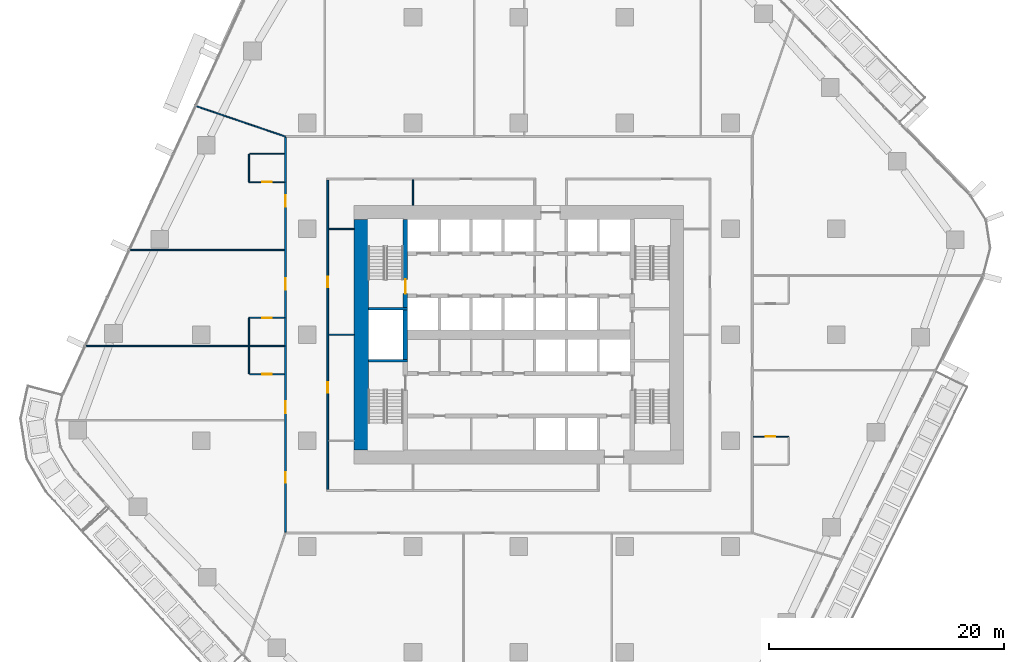
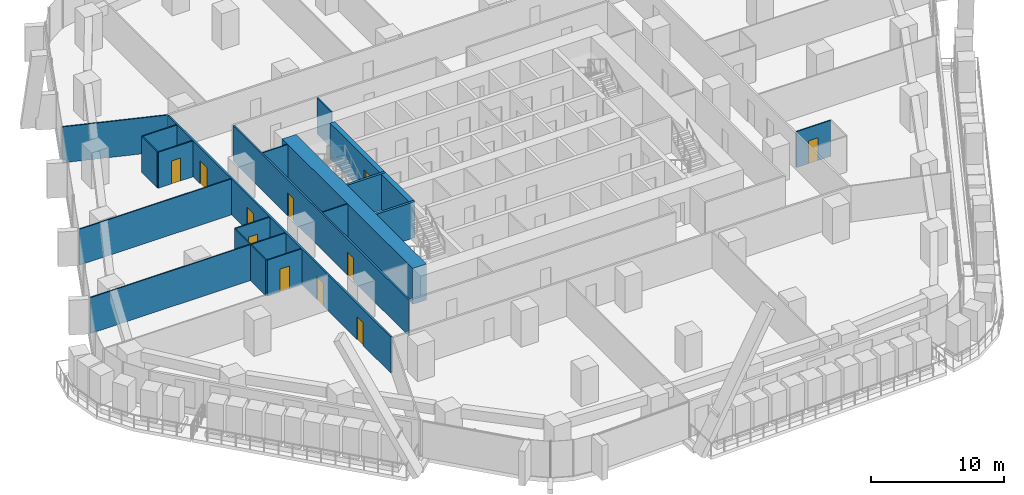
# One storey, part 14 of 26: 21 walls, 11 doors, 11 openings.
"""IFC4 building model written with IfcOpenShell, lengths in metres."""

from ifc_helpers import new_model, si_unit, direction, frame, frame_2d, origin, place, context, subcontext, project, spatial, rectangle, extrude, material, layer, layer_set, type_object, element, fill, save


model = new_model("IFC4")

# Units and contexts
model_context = context("Model", 3, precision=1e-05, world=origin(), true_north=direction((0.0, 1.0)))
body_context = subcontext(model_context, "Body", "Model", "MODEL_VIEW")
ifc_project = project(units=[si_unit("LENGTHUNIT", "METRE"), si_unit("AREAUNIT", "SQUARE_METRE"), si_unit("VOLUMEUNIT", "CUBIC_METRE"), si_unit("PLANEANGLEUNIT", "RADIAN"), si_unit("MASSUNIT", "GRAM", prefix="KILO")], contexts=[model_context])

# Site, building, storey
site_placement = place(None, origin())
site = spatial("IfcSite", under=ifc_project, at=site_placement, CompositionType="ELEMENT")
building_placement = place(site_placement, origin())
building = spatial("IfcBuilding", under=site, at=building_placement, Name="Dongbaek Canopy Tower", CompositionType="ELEMENT")
storey_placement = place(building_placement, frame((0.0, 0.0, 73.60009765625)))
storey = spatial("IfcBuildingStorey", under=building, at=storey_placement, Name="L14", CompositionType="ELEMENT", Elevation=73.60009765625)

# Wall
ifc_material_1 = material(Name="Concrete C60/75", Category="concrete")
ifc_layer_1 = layer(ifc_material_1, 1.199951171875)
ifc_layer_set_1 = layer_set([ifc_layer_1], Name="Core outer wall 1200 Concrete C60/75")
wall_type_1 = type_object("IfcWallType", Name="Core outer wall 1200 Concrete C60/75", PredefinedType="SHEAR", material=ifc_layer_set_1)
wall_1_placement = place(storey_placement, frame((-13.39990234375, -9.800048828125, 0.0), z_axis=(0.0, 0.0, 1.0), x_axis=(0.0, 1.0, 0.0)))
element("IfcWall", 1, at=wall_1_placement, inside=storey, type_object=wall_type_1, Name="Core wall", PredefinedType="SHEAR", context=body_context, shape_type="SweptSolid", body=[
    extrude(rectangle(XDim=19.60009765625, YDim=1.199951171875, at=frame_2d((9.800048828125, 0.0))), origin(), (0.0, 0.0, 1.0), 3.2998046875),
])

# Wall, openings, doors
ifc_material_2 = material(Name="Gypsum board partition, steel stud, 2 x 15 mm fire board", Category="steel")
ifc_layer_2 = layer(ifc_material_2, 0.14990234375)
ifc_layer_set_2 = layer_set([ifc_layer_2], Name="Fire-rated partition 150 gypsum board")
wall_type_2 = type_object("IfcWallType", Name="Fire-rated partition 150 gypsum board", PredefinedType="PARTITIONING", material=ifc_layer_set_2)
wall_2_placement = place(storey_placement, frame((-16.25, 13.175048828125, 0.0), z_axis=(0.0, 0.0, 1.0), x_axis=(0.0, -1.0, 0.0)))
wall_2 = element("IfcWall", 2, at=wall_2_placement, inside=storey, type_object=wall_type_2, Name="Corridor partition", PredefinedType="PARTITIONING", context=body_context, shape_type="SweptSolid", body=[
    extrude(rectangle(XDim=26.35009765625, YDim=0.14990234375, at=frame_2d((13.175048828125, 0.0))), origin(), (0.0, 0.0, 1.0), 3.2998046875),
])
opening_1_placement = place(wall_2_placement, frame((17.22509765625, 0.0, 0.0)))
opening_1 = element("IfcOpeningElement", 3, at=opening_1_placement, cuts=wall_2, Name="Opening L14-D018", PredefinedType="OPENING", context=body_context, shape_type="SweptSolid", body=[
    extrude(rectangle(XDim=0.89990234375, YDim=2.10009765625, at=frame_2d((0.449951171875, 1.050048828125))), frame((0.0, 0.0849609375, 0.0), z_axis=(0.0, -1.0, 0.0), x_axis=(1.0, 0.0, 0.0)), (0.0, 0.0, 1.0), 0.169921875),
])
opening_2_placement = place(wall_2_placement, frame((8.22509765625, 0.0, 0.0)))
opening_2 = element("IfcOpeningElement", 4, at=opening_2_placement, cuts=wall_2, Name="Opening L14-D026", PredefinedType="OPENING", context=body_context, shape_type="SweptSolid", body=[
    extrude(rectangle(XDim=0.89990234375, YDim=2.10009765625, at=frame_2d((0.449951171875, 1.050048828125))), frame((0.0, 0.0849609375, 0.0), z_axis=(0.0, -1.0, 0.0), x_axis=(1.0, 0.0, 0.0)), (0.0, 0.0, 1.0), 0.169921875),
])
ifc_material_3 = material(Name="Timber veneered door leaf", Category="wood")
door_type_1 = type_object("IfcDoorType", Name="Room door 900 x 2100", OperationType="SINGLE_SWING_LEFT", PredefinedType="DOOR", material=ifc_material_3)
door_1_placement = place(opening_1_placement, origin())
door_1 = element("IfcDoor", 5, at=door_1_placement, inside=storey, type_object=door_type_1, Name="Door L14-D018", OperationType="SINGLE_SWING_RIGHT", OverallHeight=2.10009765625, OverallWidth=0.89990234375, PredefinedType="DOOR", context=body_context, shape_type="SweptSolid", body=[
    extrude(rectangle(XDim=0.89990234375, YDim=2.10009765625, at=frame_2d((0.449951171875, 1.050048828125))), frame((0.0, 0.02490234375, 0.0), z_axis=(0.0, -1.0, 0.0), x_axis=(1.0, 0.0, 0.0)), (0.0, 0.0, 1.0), 0.050048828125),
])
fill(opening_1, door_1)
door_2_placement = place(opening_2_placement, origin())
door_2 = element("IfcDoor", 6, at=door_2_placement, inside=storey, type_object=door_type_1, Name="Door L14-D026", OperationType="SINGLE_SWING_RIGHT", OverallHeight=2.10009765625, OverallWidth=0.89990234375, PredefinedType="DOOR", context=body_context, shape_type="SweptSolid", body=[
    extrude(rectangle(XDim=0.89990234375, YDim=2.10009765625, at=frame_2d((0.449951171875, 1.050048828125))), frame((0.0, 0.02490234375, 0.0), z_axis=(0.0, -1.0, 0.0), x_axis=(1.0, 0.0, 0.0)), (0.0, 0.0, 1.0), 0.050048828125),
])
fill(opening_2, door_2)

wall_3_placement = place(storey_placement, frame((-19.85009765625, -16.77490234375, 0.0), z_axis=(0.0, 0.0, 1.0), x_axis=(0.0, 1.0, 0.0)))
wall_3 = element("IfcWall", 7, at=wall_3_placement, inside=storey, type_object=wall_type_2, Name="Corridor partition", PredefinedType="PARTITIONING", context=body_context, shape_type="SweptSolid", body=[
    extrude(rectangle(XDim=33.5498046875, YDim=0.14990234375, at=frame_2d((16.77490234375, 0.0))), origin(), (0.0, 0.0, 1.0), 3.2998046875),
])
opening_3_placement = place(wall_3_placement, frame((10.123046875, 0.0, 0.0)))
opening_3 = element("IfcOpeningElement", 8, at=opening_3_placement, cuts=wall_3, Name="Opening L14-D002", PredefinedType="OPENING", context=body_context, shape_type="SweptSolid", body=[
    extrude(rectangle(XDim=1.0, YDim=2.10009765625, at=frame_2d((0.5, 1.050048828125))), frame((0.0, 0.0849609375, 0.0), z_axis=(0.0, -1.0, 0.0), x_axis=(1.0, 0.0, 0.0)), (0.0, 0.0, 1.0), 0.169921875),
])
opening_4_placement = place(wall_3_placement, frame((4.178955078125, 0.0, 0.0)))
opening_4 = element("IfcOpeningElement", 9, at=opening_4_placement, cuts=wall_3, Name="Opening L14-D003", PredefinedType="OPENING", context=body_context, shape_type="SweptSolid", body=[
    extrude(rectangle(XDim=0.89990234375, YDim=2.10009765625, at=frame_2d((0.449951171875, 1.050048828125))), frame((0.0, 0.0849609375, 0.0), z_axis=(0.0, -1.0, 0.0), x_axis=(1.0, 0.0, 0.0)), (0.0, 0.0, 1.0), 0.169921875),
])
opening_5_placement = place(wall_3_placement, frame((27.651123046875, 0.0, 0.0)))
opening_5 = element("IfcOpeningElement", 10, at=opening_5_placement, cuts=wall_3, Name="Opening L14-D015", PredefinedType="OPENING", context=body_context, shape_type="SweptSolid", body=[
    extrude(rectangle(XDim=1.0, YDim=2.10009765625, at=frame_2d((0.5, 1.050048828125))), frame((0.0, 0.0849609375, 0.0), z_axis=(0.0, -1.0, 0.0), x_axis=(1.0, 0.0, 0.0)), (0.0, 0.0, 1.0), 0.169921875),
])
opening_6_placement = place(wall_3_placement, frame((20.6005859375, 0.0, 0.0)))
opening_6 = element("IfcOpeningElement", 11, at=opening_6_placement, cuts=wall_3, Name="Opening L14-D017", PredefinedType="OPENING", context=body_context, shape_type="SweptSolid", body=[
    extrude(rectangle(XDim=1.0, YDim=2.10009765625, at=frame_2d((0.5, 1.050048828125))), frame((0.0, 0.0849609375, 0.0), z_axis=(0.0, -1.0, 0.0), x_axis=(1.0, 0.0, 0.0)), (0.0, 0.0, 1.0), 0.169921875),
])
ifc_material_4 = material(Name="Timber veneered door leaf", Category="wood")
door_type_2 = type_object("IfcDoorType", Name="Guest room door 1000 x 2100", OperationType="SINGLE_SWING_LEFT", PredefinedType="DOOR", material=ifc_material_4)
door_3_placement = place(opening_3_placement, origin())
door_3 = element("IfcDoor", 12, at=door_3_placement, inside=storey, type_object=door_type_2, Name="Door L14-D002", OperationType="SINGLE_SWING_RIGHT", OverallHeight=2.10009765625, OverallWidth=1.0, PredefinedType="DOOR", context=body_context, shape_type="SweptSolid", body=[
    extrude(rectangle(XDim=1.0, YDim=2.10009765625, at=frame_2d((0.5, 1.050048828125))), frame((0.0, 0.02490234375, 0.0), z_axis=(0.0, -1.0, 0.0), x_axis=(1.0, 0.0, 0.0)), (0.0, 0.0, 1.0), 0.050048828125),
])
fill(opening_3, door_3)
door_4_placement = place(opening_5_placement, origin())
door_4 = element("IfcDoor", 13, at=door_4_placement, inside=storey, type_object=door_type_2, Name="Door L14-D015", OperationType="SINGLE_SWING_RIGHT", OverallHeight=2.10009765625, OverallWidth=1.0, PredefinedType="DOOR", context=body_context, shape_type="SweptSolid", body=[
    extrude(rectangle(XDim=1.0, YDim=2.10009765625, at=frame_2d((0.5, 1.050048828125))), frame((0.0, 0.02490234375, 0.0), z_axis=(0.0, -1.0, 0.0), x_axis=(1.0, 0.0, 0.0)), (0.0, 0.0, 1.0), 0.050048828125),
])
fill(opening_5, door_4)
door_5_placement = place(opening_6_placement, origin())
door_5 = element("IfcDoor", 14, at=door_5_placement, inside=storey, type_object=door_type_2, Name="Door L14-D017", OperationType="SINGLE_SWING_LEFT", OverallHeight=2.10009765625, OverallWidth=1.0, PredefinedType="DOOR", context=body_context, shape_type="SweptSolid", body=[
    extrude(rectangle(XDim=1.0, YDim=2.10009765625, at=frame_2d((0.5, 1.050048828125))), frame((0.0, 0.02490234375, 0.0), z_axis=(0.0, -1.0, 0.0), x_axis=(1.0, 0.0, 0.0)), (0.0, 0.0, 1.0), 0.050048828125),
])
fill(opening_6, door_5)
door_6_placement = place(opening_4_placement, origin())
door_6 = element("IfcDoor", 15, at=door_6_placement, inside=storey, type_object=door_type_1, Name="Door L14-D003", OperationType="SINGLE_SWING_LEFT", OverallHeight=2.10009765625, OverallWidth=0.89990234375, PredefinedType="DOOR", context=body_context, shape_type="SweptSolid", body=[
    extrude(rectangle(XDim=0.89990234375, YDim=2.10009765625, at=frame_2d((0.449951171875, 1.050048828125))), frame((0.0, 0.02490234375, 0.0), z_axis=(0.0, -1.0, 0.0), x_axis=(1.0, 0.0, 0.0)), (0.0, 0.0, 1.0), 0.050048828125),
])
fill(opening_4, door_6)

# Wall, opening, door
ifc_material_5 = material(Name="Gypsum board partition, steel stud, 2 x 12.5 mm board", Category="steel")
ifc_layer_3 = layer(ifc_material_5, 0.10009765625)
ifc_layer_set_3 = layer_set([ifc_layer_3], Name="Partition 100 gypsum board")
wall_type_3 = type_object("IfcWallType", Name="Partition 100 gypsum board", PredefinedType="PARTITIONING", material=ifc_layer_set_3)
wall_4_placement = place(storey_placement, frame((22.949951171875, -8.657958984375, 0.0), z_axis=(0.0, 0.0, 1.0), x_axis=(-1.0, 0.0, 0.0)))
wall_4 = element("IfcWall", 16, at=wall_4_placement, inside=storey, type_object=wall_type_3, Name="Partition", PredefinedType="PARTITIONING", context=body_context, shape_type="SweptSolid", body=[
    extrude(rectangle(XDim=3.02490234375, YDim=0.10009765625, at=frame_2d((1.512451171875, 0.0))), origin(), (0.0, 0.0, 1.0), 3.2998046875),
])
opening_7_placement = place(wall_4_placement, frame((1.14990234375, 0.0, 0.0)))
opening_7 = element("IfcOpeningElement", 17, at=opening_7_placement, cuts=wall_4, Name="Opening L14-D006", PredefinedType="OPENING", context=body_context, shape_type="SweptSolid", body=[
    extrude(rectangle(XDim=0.800048828125, YDim=2.10009765625, at=frame_2d((0.39990234375, 1.050048828125))), frame((0.0, 0.06005859375, 0.0), z_axis=(0.0, -1.0, 0.0), x_axis=(1.0, 0.0, 0.0)), (0.0, 0.0, 1.0), 0.1201171875),
])
ifc_material_6 = material(Name="Timber veneered door leaf", Category="wood")
door_type_3 = type_object("IfcDoorType", Name="En-suite door 800 x 2100", OperationType="SINGLE_SWING_LEFT", PredefinedType="DOOR", material=ifc_material_6)
door_7_placement = place(opening_7_placement, origin())
door_7 = element("IfcDoor", 18, at=door_7_placement, inside=storey, type_object=door_type_3, Name="Door L14-D006", OperationType="SINGLE_SWING_LEFT", OverallHeight=2.10009765625, OverallWidth=0.800048828125, PredefinedType="DOOR", context=body_context, shape_type="SweptSolid", body=[
    extrude(rectangle(XDim=0.800048828125, YDim=2.10009765625, at=frame_2d((0.39990234375, 1.050048828125))), frame((0.0, 0.02490234375, 0.0), z_axis=(0.0, -1.0, 0.0), x_axis=(1.0, 0.0, 0.0)), (0.0, 0.0, 1.0), 0.050048828125),
])
fill(opening_7, door_7)

wall_5_placement = place(storey_placement, frame((-22.89990234375, -3.35888671875, 0.0), z_axis=(0.0, 0.0, 1.0), x_axis=(1.0, 0.0, 0.0)))
wall_5 = element("IfcWall", 19, at=wall_5_placement, inside=storey, type_object=wall_type_3, Name="Partition", PredefinedType="PARTITIONING", context=body_context, shape_type="SweptSolid", body=[
    extrude(rectangle(XDim=2.974853515625, YDim=0.10009765625, at=frame_2d((1.4873046875, 0.0))), origin(), (0.0, 0.0, 1.0), 3.2998046875),
])
opening_8_placement = place(wall_5_placement, frame((1.10009765625, 0.0, 0.0)))
opening_8 = element("IfcOpeningElement", 20, at=opening_8_placement, cuts=wall_5, Name="Opening L14-D001", PredefinedType="OPENING", context=body_context, shape_type="SweptSolid", body=[
    extrude(rectangle(XDim=0.800048828125, YDim=2.10009765625, at=frame_2d((0.39990234375, 1.050048828125))), frame((0.0, 0.06005859375, 0.0), z_axis=(0.0, -1.0, 0.0), x_axis=(1.0, 0.0, 0.0)), (0.0, 0.0, 1.0), 0.1201171875),
])
door_8_placement = place(opening_8_placement, origin())
door_8 = element("IfcDoor", 21, at=door_8_placement, inside=storey, type_object=door_type_3, Name="Door L14-D001", OperationType="SINGLE_SWING_LEFT", OverallHeight=2.10009765625, OverallWidth=0.800048828125, PredefinedType="DOOR", context=body_context, shape_type="SweptSolid", body=[
    extrude(rectangle(XDim=0.800048828125, YDim=2.10009765625, at=frame_2d((0.39990234375, 1.050048828125))), frame((0.0, 0.02490234375, 0.0), z_axis=(0.0, -1.0, 0.0), x_axis=(1.0, 0.0, 0.0)), (0.0, 0.0, 1.0), 0.050048828125),
])
fill(opening_8, door_8)

# Walls
wall_6_placement = place(storey_placement, frame((-36.87890625, -0.958984375, 0.0), z_axis=(0.0, 0.0, 1.0), x_axis=(1.0, 0.0, 0.0)))
element("IfcWall", 22, at=wall_6_placement, inside=storey, type_object=wall_type_3, Name="Partition", PredefinedType="PARTITIONING", context=body_context, shape_type="SweptSolid", body=[
    extrude(rectangle(XDim=16.953857421875, YDim=0.10009765625, at=frame_2d((8.47705078125, 0.0))), origin(), (0.0, 0.0, 1.0), 3.2998046875),
])
wall_7_placement = place(storey_placement, frame((-16.175048828125, 0.0, 0.0), z_axis=(0.0, 0.0, 1.0), x_axis=(1.0, 0.0, 0.0)))
element("IfcWall", 23, at=wall_7_placement, inside=storey, type_object=wall_type_3, Name="Partition", PredefinedType="PARTITIONING", context=body_context, shape_type="SweptSolid", body=[
    extrude(rectangle(XDim=2.175048828125, YDim=0.10009765625, at=frame_2d((1.08740234375, 0.0))), origin(), (0.0, 0.0, 1.0), 3.2998046875),
])

# Wall, opening, door
wall_8_placement = place(storey_placement, frame((-19.925048828125, 1.44091796875, 0.0), z_axis=(0.0, 0.0, 1.0), x_axis=(-1.0, 0.0, 0.0)))
wall_8 = element("IfcWall", 24, at=wall_8_placement, inside=storey, type_object=wall_type_3, Name="Partition", PredefinedType="PARTITIONING", context=body_context, shape_type="SweptSolid", body=[
    extrude(rectangle(XDim=3.02490234375, YDim=0.10009765625, at=frame_2d((1.512451171875, 0.0))), origin(), (0.0, 0.0, 1.0), 3.2998046875),
])
opening_9_placement = place(wall_8_placement, frame((1.074951171875, 0.0, 0.0)))
opening_9 = element("IfcOpeningElement", 25, at=opening_9_placement, cuts=wall_8, Name="Opening L14-D016", PredefinedType="OPENING", context=body_context, shape_type="SweptSolid", body=[
    extrude(rectangle(XDim=0.800048828125, YDim=2.10009765625, at=frame_2d((0.39990234375, 1.050048828125))), frame((0.0, 0.06005859375, 0.0), z_axis=(0.0, -1.0, 0.0), x_axis=(1.0, 0.0, 0.0)), (0.0, 0.0, 1.0), 0.1201171875),
])
door_9_placement = place(opening_9_placement, origin())
door_9 = element("IfcDoor", 26, at=door_9_placement, inside=storey, type_object=door_type_3, Name="Door L14-D016", OperationType="SINGLE_SWING_RIGHT", OverallHeight=2.10009765625, OverallWidth=0.800048828125, PredefinedType="DOOR", context=body_context, shape_type="SweptSolid", body=[
    extrude(rectangle(XDim=0.800048828125, YDim=2.10009765625, at=frame_2d((0.39990234375, 1.050048828125))), frame((0.0, 0.02490234375, 0.0), z_axis=(0.0, -1.0, 0.0), x_axis=(1.0, 0.0, 0.0)), (0.0, 0.0, 1.0), 0.050048828125),
])
fill(opening_9, door_9)

# Walls
wall_9_placement = place(storey_placement, frame((-33.11962890625, 7.2109375, 0.0), z_axis=(0.0, 0.0, 1.0), x_axis=(1.0, 0.0, 0.0)))
element("IfcWall", 27, at=wall_9_placement, inside=storey, type_object=wall_type_3, Name="Partition", PredefinedType="PARTITIONING", context=body_context, shape_type="SweptSolid", body=[
    extrude(rectangle(XDim=13.194580078125, YDim=0.10009765625, at=frame_2d((6.59716796875, 0.0))), origin(), (0.0, 0.0, 1.0), 3.2998046875),
])
wall_10_placement = place(storey_placement, frame((-16.175048828125, 9.0, 0.0), z_axis=(0.0, 0.0, 1.0), x_axis=(1.0, 0.0, 0.0)))
element("IfcWall", 28, at=wall_10_placement, inside=storey, type_object=wall_type_3, Name="Partition", PredefinedType="PARTITIONING", context=body_context, shape_type="SweptSolid", body=[
    extrude(rectangle(XDim=2.175048828125, YDim=0.10009765625, at=frame_2d((1.08740234375, 0.0))), origin(), (0.0, 0.0, 1.0), 3.2998046875),
])

# Wall, opening, door
wall_11_placement = place(storey_placement, frame((-22.949951171875, 12.97998046875, 0.0), z_axis=(0.0, 0.0, 1.0), x_axis=(1.0, 0.0, 0.0)))
wall_11 = element("IfcWall", 29, at=wall_11_placement, inside=storey, type_object=wall_type_3, Name="Partition", PredefinedType="PARTITIONING", context=body_context, shape_type="SweptSolid", body=[
    extrude(rectangle(XDim=3.02490234375, YDim=0.10009765625, at=frame_2d((1.512451171875, 0.0))), origin(), (0.0, 0.0, 1.0), 3.2998046875),
])
opening_10_placement = place(wall_11_placement, frame((1.14990234375, 0.0, 0.0)))
opening_10 = element("IfcOpeningElement", 30, at=opening_10_placement, cuts=wall_11, Name="Opening L14-D014", PredefinedType="OPENING", context=body_context, shape_type="SweptSolid", body=[
    extrude(rectangle(XDim=0.800048828125, YDim=2.10009765625, at=frame_2d((0.39990234375, 1.050048828125))), frame((0.0, 0.06005859375, 0.0), z_axis=(0.0, -1.0, 0.0), x_axis=(1.0, 0.0, 0.0)), (0.0, 0.0, 1.0), 0.1201171875),
])
door_10_placement = place(opening_10_placement, origin())
door_10 = element("IfcDoor", 31, at=door_10_placement, inside=storey, type_object=door_type_3, Name="Door L14-D014", OperationType="SINGLE_SWING_LEFT", OverallHeight=2.10009765625, OverallWidth=0.800048828125, PredefinedType="DOOR", context=body_context, shape_type="SweptSolid", body=[
    extrude(rectangle(XDim=0.800048828125, YDim=2.10009765625, at=frame_2d((0.39990234375, 1.050048828125))), frame((0.0, 0.02490234375, 0.0), z_axis=(0.0, -1.0, 0.0), x_axis=(1.0, 0.0, 0.0)), (0.0, 0.0, 1.0), 0.050048828125),
])
fill(opening_10, door_10)

# Walls
wall_12_placement = place(storey_placement, frame((-22.89990234375, 15.3798828125, 0.0), z_axis=(0.0, 0.0, 1.0), x_axis=(1.0, 0.0, 0.0)))
element("IfcWall", 32, at=wall_12_placement, inside=storey, type_object=wall_type_3, Name="Partition", PredefinedType="PARTITIONING", context=body_context, shape_type="SweptSolid", body=[
    extrude(rectangle(XDim=2.974853515625, YDim=0.10009765625, at=frame_2d((1.4873046875, 0.0))), origin(), (0.0, 0.0, 1.0), 3.2998046875),
])
wall_13_placement = place(storey_placement, frame((-9.0, 11.0, 0.0), z_axis=(0.0, 0.0, 1.0), x_axis=(0.0, 1.0, 0.0)))
element("IfcWall", 33, at=wall_13_placement, inside=storey, type_object=wall_type_3, Name="Partition", PredefinedType="PARTITIONING", context=body_context, shape_type="SweptSolid", body=[
    extrude(rectangle(XDim=2.175048828125, YDim=0.10009765625, at=frame_2d((1.08740234375, 0.0))), origin(), (0.0, 0.0, 1.0), 3.2998046875),
])
wall_14_placement = place(storey_placement, frame((-22.949951171875, -3.30908203125, 0.0), z_axis=(0.0, 0.0, 1.0), x_axis=(0.0, 1.0, 0.0)))
element("IfcWall", 34, at=wall_14_placement, inside=storey, type_object=wall_type_3, Name="Partition", PredefinedType="PARTITIONING", context=body_context, shape_type="SweptSolid", body=[
    extrude(rectangle(XDim=2.300048828125, YDim=0.10009765625, at=frame_2d((1.14990234375, 0.0))), origin(), (0.0, 0.0, 1.0), 3.2998046875),
])
for number, where, z_axis, x_axis, name in (
    (35, (-22.949951171875, -0.908935546875, 0.0), (0.0, 0.0, 1.0), (0.0, 1.0, 0.0), "Partition"),
    (36, (-22.949951171875, 13.0302734375, 0.0), (0.0, 0.0, 1.0), (0.0, 1.0, 0.0), "Partition"),
):
    element("IfcWall", number, at=place(storey_placement, frame(where, z_axis=z_axis, x_axis=x_axis)), inside=storey, type_object=wall_type_3, Name=name, PredefinedType="PARTITIONING", context=body_context, shape_type="SweptSolid", body=[
        extrude(rectangle(XDim=2.2998046875, YDim=0.10009765625, at=frame_2d((1.14990234375, 0.0))), origin(), (0.0, 0.0, 1.0), 3.2998046875),
    ])
wall_15_placement = place(storey_placement, frame((-27.483642578125, 19.45849609375, 0.0), z_axis=(0.0, 0.0, 1.0), x_axis=(0.946262238114, -0.323400335065, 0.0)))
element("IfcWall", 37, at=wall_15_placement, inside=storey, type_object=wall_type_3, Name="Partition", PredefinedType="PARTITIONING", context=body_context, shape_type="SweptSolid", body=[
    extrude(rectangle(XDim=8.067138671875, YDim=0.10009765625, at=frame_2d((4.03369140625, 0.0))), origin(), (0.0, 0.0, 1.0), 3.2998046875),
])
ifc_material_7 = material(Name="Concrete C60/75", Category="concrete")
ifc_layer_4 = layer(ifc_material_7, 0.199951171875)
ifc_layer_set_4 = layer_set([ifc_layer_4], Name="Riser wall 200 Concrete C60/75")
wall_type_4 = type_object("IfcWallType", Name="Riser wall 200 Concrete C60/75", PredefinedType="SHEAR", material=ifc_layer_set_4)
for number, where, z_axis, x_axis, name in (
    (38, (-9.449951171875, 2.199951171875, 0.0), (0.0, 0.0, 1.0), (-1.0, 0.0, 0.0), "Riser wall"),
    (39, (-9.449951171875, -2.199951171875, 0.0), (0.0, 0.0, 1.0), (-1.0, 0.0, 0.0), "Riser wall"),
):
    element("IfcWall", number, at=place(storey_placement, frame(where, z_axis=z_axis, x_axis=x_axis)), inside=storey, type_object=wall_type_4, Name=name, PredefinedType="SHEAR", context=body_context, shape_type="SweptSolid", body=[
        extrude(rectangle(XDim=3.35009765625, YDim=0.199951171875, at=frame_2d((1.675048828125, 0.0))), origin(), (0.0, 0.0, 1.0), 3.2998046875),
    ])
ifc_material_8 = material(Name="Concrete C60/75", Category="concrete")
ifc_layer_5 = layer(ifc_material_8, 0.39990234375)
ifc_layer_set_5 = layer_set([ifc_layer_5], Name="Stair wall 400 Concrete C60/75")
wall_type_5 = type_object("IfcWallType", Name="Stair wall 400 Concrete C60/75", PredefinedType="SHEAR", material=ifc_layer_set_5)
wall_16_placement = place(storey_placement, frame((-9.64990234375, -2.10009765625, 0.0), z_axis=(0.0, 0.0, 1.0), x_axis=(0.0, 1.0, 0.0)))
element("IfcWall", 40, at=wall_16_placement, inside=storey, type_object=wall_type_5, Name="Stair wall", PredefinedType="SHEAR", context=body_context, shape_type="SweptSolid", body=[
    extrude(rectangle(XDim=4.2001953125, YDim=0.39990234375, at=frame_2d((2.10009765625, 0.0))), origin(), (0.0, 0.0, 1.0), 3.2998046875),
])

# Wall, opening, door
wall_17_placement = place(storey_placement, frame((-9.64990234375, 2.300048828125, 0.0), z_axis=(0.0, 0.0, 1.0), x_axis=(0.0, 1.0, 0.0)))
wall_17 = element("IfcWall", 41, at=wall_17_placement, inside=storey, type_object=wall_type_5, Name="Stair wall", PredefinedType="SHEAR", context=body_context, shape_type="SweptSolid", body=[
    extrude(rectangle(XDim=7.5, YDim=0.39990234375, at=frame_2d((3.75, 0.0))), origin(), (0.0, 0.0, 1.0), 3.2998046875),
])
opening_11_placement = place(wall_17_placement, frame((1.199951171875, 0.0, 0.0)))
opening_11 = element("IfcOpeningElement", 42, at=opening_11_placement, cuts=wall_17, Name="Opening L14-D053", PredefinedType="OPENING", context=body_context, shape_type="SweptSolid", body=[
    extrude(rectangle(XDim=1.199951171875, YDim=2.10009765625, at=frame_2d((0.60009765625, 1.050048828125))), frame((0.0, 0.2099609375, 0.0), z_axis=(0.0, -1.0, 0.0), x_axis=(1.0, 0.0, 0.0)), (0.0, 0.0, 1.0), 0.419921875),
])
ifc_material_9 = material(Name="Steel", Category="steel")
door_type_4 = type_object("IfcDoorType", Name="Stair door 1200 x 2100", OperationType="SINGLE_SWING_LEFT", PredefinedType="DOOR", material=ifc_material_9)
door_11_placement = place(opening_11_placement, origin())
door_11 = element("IfcDoor", 43, at=door_11_placement, inside=storey, type_object=door_type_4, Name="Stair C door", OperationType="SINGLE_SWING_RIGHT", OverallHeight=2.10009765625, OverallWidth=1.199951171875, PredefinedType="DOOR", context=body_context, shape_type="SweptSolid", body=[
    extrude(rectangle(XDim=1.199951171875, YDim=2.10009765625, at=frame_2d((0.60009765625, 1.050048828125))), frame((0.0, 0.02490234375, 0.0), z_axis=(0.0, -1.0, 0.0), x_axis=(1.0, 0.0, 0.0)), (0.0, 0.0, 1.0), 0.050048828125),
])
fill(opening_11, door_11)

save(model, "model.ifc")
